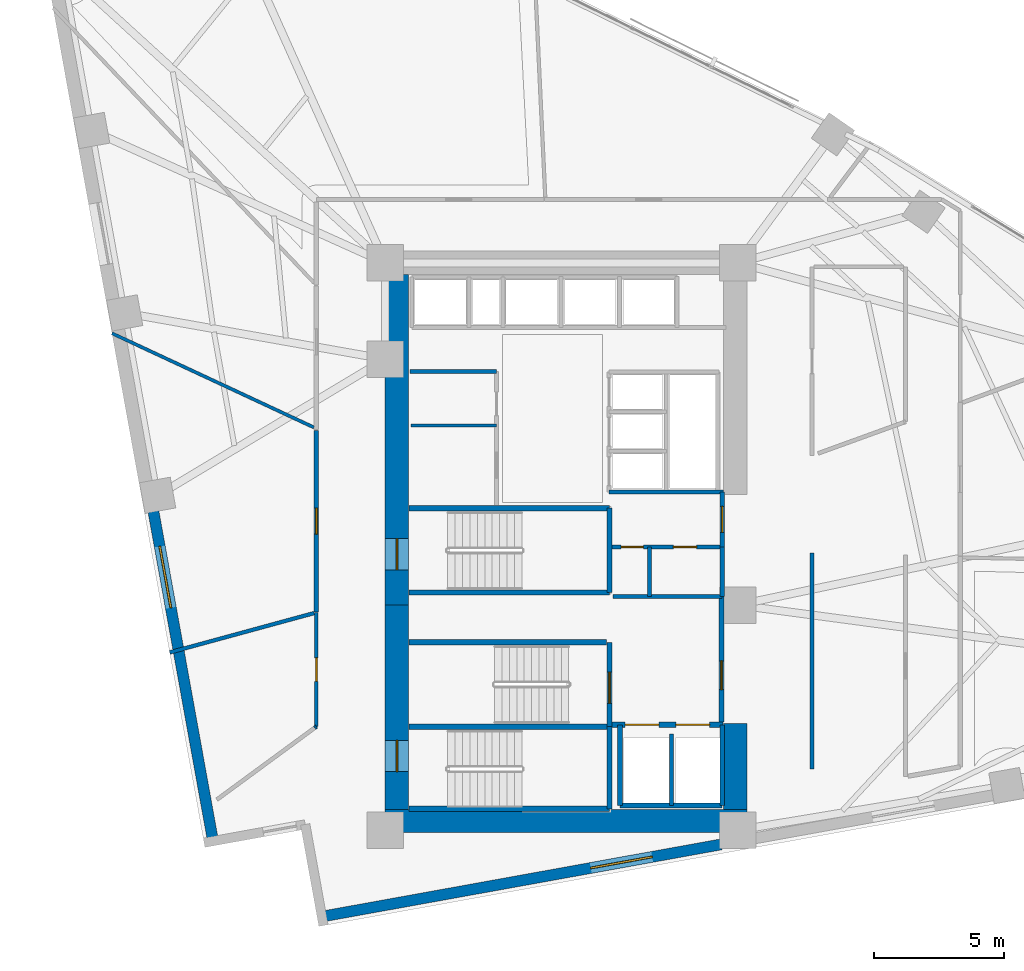
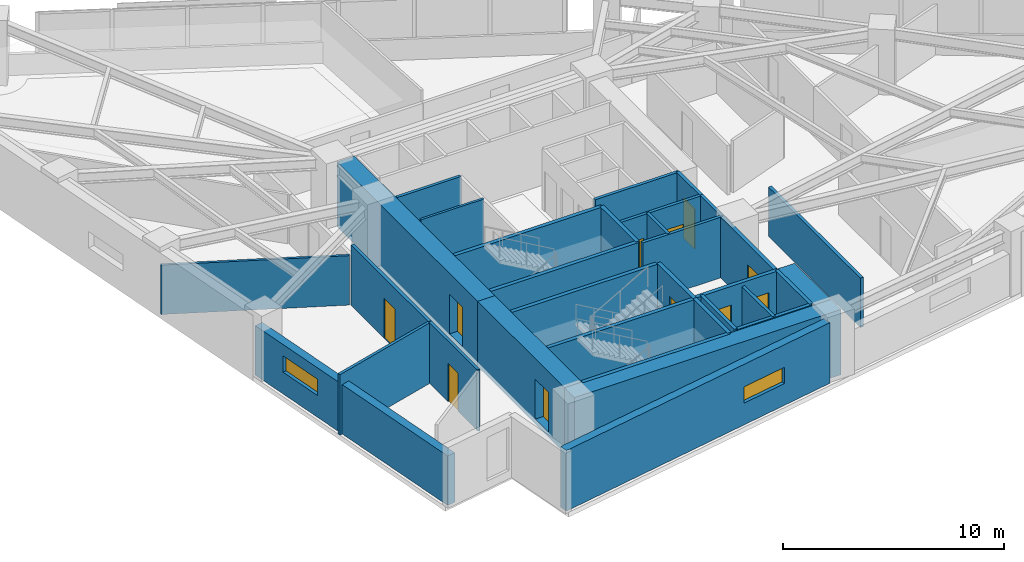
# One storey, part 13 of 18: 34 walls, 11 doors, 2 windows, 13 openings.
"""IFC4 building model written with IfcOpenShell, lengths in metres."""

from ifc_helpers import new_model, si_unit, direction, frame, frame_2d, origin, place, context, subcontext, project, spatial, rectangle, extrude, material, layer, layer_set, type_object, element, fill, save


model = new_model("IFC4")

# Units and contexts
model_context = context("Model", 3, precision=1e-05, world=origin(), true_north=direction((0.0, 1.0)))
body_context = subcontext(model_context, "Body", "Model", "MODEL_VIEW")
ifc_project = project(units=[si_unit("LENGTHUNIT", "METRE"), si_unit("AREAUNIT", "SQUARE_METRE"), si_unit("VOLUMEUNIT", "CUBIC_METRE"), si_unit("PLANEANGLEUNIT", "RADIAN"), si_unit("MASSUNIT", "GRAM", prefix="KILO")], contexts=[model_context])

# Site, building, storey
site_placement = place(None, origin())
site = spatial("IfcSite", under=ifc_project, at=site_placement, CompositionType="ELEMENT")
building_placement = place(site_placement, origin())
building = spatial("IfcBuilding", under=site, at=building_placement, Name="Narakoshi Arena Tower", CompositionType="ELEMENT")
storey_placement = place(building_placement, frame((0.0, 0.0, 106.5)))
storey = spatial("IfcBuildingStorey", under=building, at=storey_placement, Name="L28", CompositionType="ELEMENT", Elevation=106.5)

# Wall, opening, door
ifc_material_1 = material(Name="Concrete C60/75", Category="concrete")
ifc_layer_1 = layer(ifc_material_1, 0.89990234375)
ifc_layer_set_1 = layer_set([ifc_layer_1], Name="Concrete C60/75")
wall_type_1 = type_object("IfcWallType", Name="WL-CORE-900", PredefinedType="SHEAR", material=ifc_layer_set_1)
wall_1_placement = place(storey_placement, frame((72.449951171875, 35.5, -0.260009765625), z_axis=(0.0, 0.0, 1.0), x_axis=(0.0, 1.0, 0.0)))
wall_1 = element("IfcWall", 1, at=wall_1_placement, inside=storey, type_object=wall_type_1, Name="L28 Central Core Shear Wall CW-APX-W", PredefinedType="SHEAR", context=body_context, shape_type="SweptSolid", body=[
    extrude(rectangle(XDim=7.85009765625, YDim=0.89990234375, at=frame_2d((3.925048828125, 0.0))), origin(), (0.0, 0.0, 1.0), 3.60009765625),
])
opening_1_placement = place(wall_1_placement, frame((1.449951171875, 0.0, 0.260009765625)))
opening_1 = element("IfcOpeningElement", 2, at=opening_1_placement, cuts=wall_1, Name="Opening D-03", PredefinedType="OPENING", context=body_context, shape_type="SweptSolid", body=[
    extrude(rectangle(XDim=1.199951171875, YDim=2.199951171875, at=frame_2d((0.60009765625, 1.10009765625))), frame((0.0, 0.4599609375, 0.0), z_axis=(0.0, -1.0, 0.0), x_axis=(1.0, 0.0, 0.0)), (0.0, 0.0, 1.0), 0.919921875),
])
ifc_material_2 = material(Name="Painted galvanized steel", Category="steel")
door_type_1 = type_object("IfcDoorType", Name="DR-STR-1200", OperationType="NOTDEFINED", PredefinedType="USERDEFINED", material=ifc_material_2)
door_1_placement = place(opening_1_placement, frame((1.199951171875, 0.0, 0.0), z_axis=(0.0, 0.0, 1.0), x_axis=(-1.0, 0.0, 0.0)))
door_1 = element("IfcDoor", 3, at=door_1_placement, inside=storey, type_object=door_type_1, Name="DR-L28-001", ObjectType="EXITDOOR", OperationType="SINGLE_SWING_LEFT", OverallHeight=2.199951171875, OverallWidth=1.199951171875, PredefinedType="USERDEFINED", context=body_context, shape_type="SweptSolid", body=[
    extrude(rectangle(XDim=1.199951171875, YDim=2.199951171875, at=frame_2d((0.60009765625, 1.10009765625))), frame((0.0, 0.02490234375, 0.0), z_axis=(0.0, -1.0, 0.0), x_axis=(1.0, 0.0, 0.0)), (0.0, 0.0, 1.0), 0.050048828125),
])
fill(opening_1, door_1)

# Walls
wall_2_placement = place(storey_placement, frame((72.0, 35.050048828125, -0.260009765625), z_axis=(0.0, 0.0, 1.0), x_axis=(1.0, 0.0, 0.0)))
element("IfcWall", 4, at=wall_2_placement, inside=storey, type_object=wall_type_1, Name="L28 Central Core Shear Wall CW-APX-S", PredefinedType="SHEAR", context=body_context, shape_type="SweptSolid", body=[
    extrude(rectangle(XDim=13.89990234375, YDim=0.89990234375, at=frame_2d((6.949951171875, 0.0))), origin(), (0.0, 0.0, 1.0), 3.60009765625),
])
wall_3_placement = place(storey_placement, frame((85.449951171875, 35.5, -0.260009765625), z_axis=(0.0, 0.0, 1.0), x_axis=(0.0, 1.0, 0.0)))
element("IfcWall", 5, at=wall_3_placement, inside=storey, type_object=wall_type_1, Name="L28 Central Core Shear Wall CW-APX-E", PredefinedType="SHEAR", context=body_context, shape_type="SweptSolid", body=[
    extrude(rectangle(XDim=3.300048828125, YDim=0.89990234375, at=frame_2d((1.64990234375, 0.0))), origin(), (0.0, 0.0, 1.0), 3.60009765625),
])

# Wall, opening, door
wall_4_placement = place(storey_placement, frame((72.449951171875, 43.35009765625, -0.260009765625), z_axis=(0.0, 0.0, 1.0), x_axis=(0.0, 1.0, 0.0)))
wall_4 = element("IfcWall", 6, at=wall_4_placement, inside=storey, type_object=wall_type_1, Name="L28 Main Core Shear Wall CW-MN-W", PredefinedType="SHEAR", context=body_context, shape_type="SweptSolid", body=[
    extrude(rectangle(XDim=12.699951171875, YDim=0.89990234375, at=frame_2d((6.35009765625, 0.0))), origin(), (0.0, 0.0, 1.0), 3.60009765625),
])
opening_2_placement = place(wall_4_placement, frame((1.35009765625, 0.0, 0.260009765625)))
opening_2 = element("IfcOpeningElement", 7, at=opening_2_placement, cuts=wall_4, Name="Opening D-03", PredefinedType="OPENING", context=body_context, shape_type="SweptSolid", body=[
    extrude(rectangle(XDim=1.199951171875, YDim=2.199951171875, at=frame_2d((0.60009765625, 1.10009765625))), frame((0.0, 0.4599609375, 0.0), z_axis=(0.0, -1.0, 0.0), x_axis=(1.0, 0.0, 0.0)), (0.0, 0.0, 1.0), 0.919921875),
])
door_2_placement = place(opening_2_placement, frame((1.199951171875, 0.0, 0.0), z_axis=(0.0, 0.0, 1.0), x_axis=(-1.0, 0.0, 0.0)))
door_2 = element("IfcDoor", 8, at=door_2_placement, inside=storey, type_object=door_type_1, Name="DR-L28-006", ObjectType="EXITDOOR", OperationType="SINGLE_SWING_LEFT", OverallHeight=2.199951171875, OverallWidth=1.199951171875, PredefinedType="USERDEFINED", context=body_context, shape_type="SweptSolid", body=[
    extrude(rectangle(XDim=1.199951171875, YDim=2.199951171875, at=frame_2d((0.60009765625, 1.10009765625))), frame((0.0, 0.02490234375, 0.0), z_axis=(0.0, -1.0, 0.0), x_axis=(1.0, 0.0, 0.0)), (0.0, 0.0, 1.0), 0.050048828125),
])
fill(opening_2, door_2)

ifc_material_3 = material(Name="Gypsum plasterboard fire-rated partition")
ifc_layer_2 = layer(ifc_material_3, 0.1650390625)
ifc_layer_set_2 = layer_set([ifc_layer_2], Name="Gypsum plasterboard fire-rated partition")
wall_type_2 = type_object("IfcWallType", Name="WL-CORR-165", PredefinedType="PARTITIONING", material=ifc_layer_set_2)
wall_5_placement = place(storey_placement, frame((84.949951171875, 45.580078125, 0.0), z_axis=(0.0, 0.0, 1.0), x_axis=(0.0, 1.0, 0.0)))
wall_5 = element("IfcWall", 9, at=wall_5_placement, inside=storey, type_object=wall_type_2, Name="L28 Core Wall CPAS-E", PredefinedType="PARTITIONING", context=body_context, shape_type="SweptSolid", body=[
    extrude(rectangle(XDim=2.119873046875, YDim=0.1650390625, at=frame_2d((1.06005859375, 0.0))), origin(), (0.0, 0.0, 1.0), 3.340087890625),
])
opening_3_placement = place(wall_5_placement, frame((0.56005859375, 0.0, 0.0)))
opening_3 = element("IfcOpeningElement", 10, at=opening_3_placement, cuts=wall_5, Name="Opening D-06", PredefinedType="OPENING", context=body_context, shape_type="SweptSolid", body=[
    extrude(rectangle(XDim=1.0, YDim=2.199951171875, at=frame_2d((0.5, 1.10009765625))), frame((0.0, 0.092529296875, 0.0), z_axis=(0.0, -1.0, 0.0), x_axis=(1.0, 0.0, 0.0)), (0.0, 0.0, 1.0), 0.18505859375),
])
ifc_material_4 = material(Name="Stained oak solid-core timber", Category="wood")
door_type_2 = type_object("IfcDoorType", Name="DR-OFF-1000", OperationType="NOTDEFINED", PredefinedType="DOOR", material=ifc_material_4)
door_3_placement = place(opening_3_placement, frame((1.0, 0.0, 0.0), z_axis=(0.0, 0.0, 1.0), x_axis=(-1.0, 0.0, 0.0)))
door_3 = element("IfcDoor", 11, at=door_3_placement, inside=storey, type_object=door_type_2, Name="DR-L28-007", OperationType="SINGLE_SWING_LEFT", OverallHeight=2.199951171875, OverallWidth=1.0, PredefinedType="DOOR", context=body_context, shape_type="SweptSolid", body=[
    extrude(rectangle(XDim=1.0, YDim=2.199951171875, at=frame_2d((0.5, 1.10009765625))), frame((0.0, 0.02490234375, 0.0), z_axis=(0.0, -1.0, 0.0), x_axis=(1.0, 0.0, 0.0)), (0.0, 0.0, 1.0), 0.050048828125),
])
fill(opening_3, door_3)

# Wall
wall_6_placement = place(storey_placement, frame((88.39990234375, 37.05322265625, 0.0), z_axis=(0.0, 0.0, 1.0), x_axis=(0.0, 1.0, 0.0)))
element("IfcWall", 12, at=wall_6_placement, inside=storey, type_object=wall_type_2, Name="L28 Corridor Partition 02-2", PredefinedType="PARTITIONING", context=body_context, shape_type="SweptSolid", body=[
    extrude(rectangle(XDim=8.29931640625, YDim=0.1650390625, at=frame_2d((4.149658203125, 0.0))), origin(), (0.0, 0.0, 1.0), 2.72509765625),
])

# Wall, opening, door
wall_7_placement = place(storey_placement, frame((69.353759765625, 50.065673828125, 0.0), z_axis=(0.0, 0.0, 1.0), x_axis=(0.0, -1.0, 0.0)))
wall_7 = element("IfcWall", 13, at=wall_7_placement, inside=storey, type_object=wall_type_2, Name="L28 Corridor Partition 09-1", PredefinedType="PARTITIONING", context=body_context, shape_type="SweptSolid", body=[
    extrude(rectangle(XDim=6.977294921875, YDim=0.1650390625, at=frame_2d((3.48876953125, 0.0))), origin(), (0.0, 0.0, 1.0), 3.340087890625),
])
opening_4_placement = place(wall_7_placement, frame((2.988525390625, 0.0, 0.0)))
opening_4 = element("IfcOpeningElement", 14, at=opening_4_placement, cuts=wall_7, Name="Opening D-06", PredefinedType="OPENING", context=body_context, shape_type="SweptSolid", body=[
    extrude(rectangle(XDim=1.0, YDim=2.199951171875, at=frame_2d((0.5, 1.10009765625))), frame((0.0, 0.092529296875, 0.0), z_axis=(0.0, -1.0, 0.0), x_axis=(1.0, 0.0, 0.0)), (0.0, 0.0, 1.0), 0.18505859375),
])
door_4_placement = place(opening_4_placement, frame((1.0, 0.0, 0.0), z_axis=(0.0, 0.0, 1.0), x_axis=(-1.0, 0.0, 0.0)))
door_4 = element("IfcDoor", 15, at=door_4_placement, inside=storey, type_object=door_type_2, Name="DR-L28-023", OperationType="SINGLE_SWING_RIGHT", OverallHeight=2.199951171875, OverallWidth=1.0, PredefinedType="DOOR", context=body_context, shape_type="SweptSolid", body=[
    extrude(rectangle(XDim=1.0, YDim=2.199951171875, at=frame_2d((0.5, 1.10009765625))), frame((0.0, 0.02490234375, 0.0), z_axis=(0.0, -1.0, 0.0), x_axis=(1.0, 0.0, 0.0)), (0.0, 0.0, 1.0), 0.050048828125),
])
fill(opening_4, door_4)

# Walls
ifc_layer_3 = layer(ifc_material_3, 0.125)
ifc_layer_set_3 = layer_set([ifc_layer_3], Name="Gypsum plasterboard fire-rated partition")
wall_type_3 = type_object("IfcWallType", Name="WL-PART-125", PredefinedType="PARTITIONING", material=ifc_layer_set_3)
wall_8_placement = place(storey_placement, frame((73.0, 50.25, 0.0), z_axis=(0.0, 0.0, 1.0), x_axis=(1.0, 0.0, 0.0)))
element("IfcWall", 16, at=wall_8_placement, inside=storey, type_object=wall_type_3, Name="L28 Core Wall RCL-LR-D2", PredefinedType="PARTITIONING", context=body_context, shape_type="SweptSolid", body=[
    extrude(rectangle(XDim=3.280029296875, YDim=0.125, at=frame_2d((1.64013671875, 0.0))), origin(), (0.0, 0.0, 1.0), 3.340087890625),
])
wall_9_placement = place(storey_placement, frame((69.25927734375, 50.176025390625, 0.0), z_axis=(0.0, 0.0, 1.0), x_axis=(-0.90641249547, 0.422393641117, 0.0)))
element("IfcWall", 17, at=wall_9_placement, inside=storey, type_object=wall_type_3, Name="L28 Inter-Room Partition 08-09", PredefinedType="PARTITIONING", context=body_context, shape_type="SweptSolid", body=[
    extrude(rectangle(XDim=8.561279296875, YDim=0.125, at=frame_2d((4.28076171875, 0.0))), origin(), (0.0, 0.0, 1.0), 2.72509765625),
])

# Wall, opening, window
ifc_material_5 = material(Name="Precast concrete C45/55", Category="concrete")
ifc_layer_4 = layer(ifc_material_5, 0.419921875)
ifc_layer_set_4 = layer_set([ifc_layer_4], Name="Precast concrete C45/55")
wall_type_4 = type_object("IfcWallType", Name="WL-POD-420", PredefinedType="SOLIDWALL", material=ifc_layer_set_4)
wall_10_placement = place(storey_placement, frame((69.564697265625, 31.376953125, 0.0), z_axis=(0.0, 0.0, 1.0), x_axis=(0.98404091451, 0.177942346197, 0.0)))
wall_10 = element("IfcWall", 18, at=wall_10_placement, inside=storey, type_object=wall_type_4, Name="L28 Architectural Concrete Facade Wall LEGA-1", PredefinedType="SOLIDWALL", context=body_context, shape_type="SweptSolid", body=[
    extrude(rectangle(XDim=15.58349609375, YDim=0.419921875, at=frame_2d((7.791748046875, 0.0))), origin(), (0.0, 0.0, 1.0), 3.340087890625),
])
opening_5_placement = place(wall_10_placement, frame((10.5, 0.0, 1.199951171875)))
opening_5 = element("IfcOpeningElement", 19, at=opening_5_placement, cuts=wall_10, Name="Opening WN-01", PredefinedType="OPENING", context=body_context, shape_type="SweptSolid", body=[
    extrude(rectangle(XDim=2.39990234375, YDim=0.89990234375, at=frame_2d((1.199951171875, 0.449951171875))), frame((0.0, 0.219970703125, 0.0), z_axis=(0.0, -1.0, 0.0), x_axis=(1.0, 0.0, 0.0)), (0.0, 0.0, 1.0), 0.43994140625),
])
ifc_material_6 = material(Name="Bronze-tinted low-E laminated glass", Category="glass")
window_type = type_object("IfcWindowType", Name="WIN-SLT-24x09", PartitioningType="SINGLE_PANEL", PredefinedType="WINDOW", material=ifc_material_6)
window_1_placement = place(opening_5_placement, origin())
window_1 = element("IfcWindow", 20, at=window_1_placement, inside=storey, type_object=window_type, Name="L28 LEGA1 Horizontal Slot Window 1", OverallHeight=0.89990234375, OverallWidth=2.39990234375, PartitioningType="SINGLE_PANEL", PredefinedType="WINDOW", context=body_context, shape_type="SweptSolid", body=[
    extrude(rectangle(XDim=2.39990234375, YDim=0.89990234375, at=frame_2d((1.199951171875, 0.449951171875))), frame((0.0, 0.030029296875, 0.0), z_axis=(0.0, -1.0, 0.0), x_axis=(1.0, 0.0, 0.0)), (0.0, 0.0, 1.0), 0.06005859375),
])
fill(opening_5, window_1)

wall_11_placement = place(storey_placement, frame((62.989501953125, 47.517578125, 0.0), z_axis=(0.0, 0.0, 1.0), x_axis=(0.177948058674, -0.984039881516, 0.0)))
wall_11 = element("IfcWall", 21, at=wall_11_placement, inside=storey, type_object=wall_type_4, Name="L28 Architectural Concrete Facade Wall LEGB-3", PredefinedType="SOLIDWALL", context=body_context, shape_type="SweptSolid", body=[
    extrude(rectangle(XDim=13.455078125, YDim=0.419921875, at=frame_2d((6.7275390625, 0.0))), origin(), (0.0, 0.0, 1.0), 2.72509765625),
])
opening_6_placement = place(wall_11_placement, frame((1.945068359375, 0.0, 1.199951171875)))
opening_6 = element("IfcOpeningElement", 22, at=opening_6_placement, cuts=wall_11, Name="Opening WN-01", PredefinedType="OPENING", context=body_context, shape_type="SweptSolid", body=[
    extrude(rectangle(XDim=2.39990234375, YDim=0.89990234375, at=frame_2d((1.199951171875, 0.449951171875))), frame((0.0, 0.219970703125, 0.0), z_axis=(0.0, -1.0, 0.0), x_axis=(1.0, 0.0, 0.0)), (0.0, 0.0, 1.0), 0.43994140625),
])
window_2_placement = place(opening_6_placement, origin())
window_2 = element("IfcWindow", 23, at=window_2_placement, inside=storey, type_object=window_type, Name="L28 LEGB3 Horizontal Slot Window 1", OverallHeight=0.89990234375, OverallWidth=2.39990234375, PartitioningType="SINGLE_PANEL", PredefinedType="WINDOW", context=body_context, shape_type="SweptSolid", body=[
    extrude(rectangle(XDim=2.39990234375, YDim=0.89990234375, at=frame_2d((1.199951171875, 0.449951171875))), frame((0.0, 0.030029296875, 0.0), z_axis=(0.0, -1.0, 0.0), x_axis=(1.0, 0.0, 0.0)), (0.0, 0.0, 1.0), 0.06005859375),
])
fill(opening_6, window_2)

# Walls
ifc_material_7 = material(Name="Concrete C40/50", Category="concrete")
ifc_layer_5 = layer(ifc_material_7, 0.280029296875)
ifc_layer_set_5 = layer_set([ifc_layer_5], Name="Concrete C40/50")
wall_type_5 = type_object("IfcWallType", Name="WL-RISER-280", PredefinedType="PLUMBINGWALL", material=ifc_layer_set_5)
wall_12_placement = place(storey_placement, frame((83.0, 35.64990234375, 0.0), z_axis=(0.0, 0.0, 1.0), x_axis=(0.0, 1.0, 0.0)))
element("IfcWall", 24, at=wall_12_placement, inside=storey, type_object=wall_type_5, Name="L28 Core Wall FF-DIV", PredefinedType="PLUMBINGWALL", context=body_context, shape_type="SweptSolid", body=[
    extrude(rectangle(XDim=2.75, YDim=0.159912109375, at=frame_2d((1.375, 0.0))), origin(), (0.0, 0.0, 1.0), 3.340087890625),
])
wall_13_placement = place(storey_placement, frame((84.949951171875, 43.679931640625, 0.0), z_axis=(0.0, 0.0, 1.0), x_axis=(0.0, 1.0, 0.0)))
element("IfcWall", 25, at=wall_13_placement, inside=storey, type_object=wall_type_5, Name="L28 Core Wall RSR-E", PredefinedType="PLUMBINGWALL", context=body_context, shape_type="SweptSolid", body=[
    extrude(rectangle(XDim=1.900146484375, YDim=0.1650390625, at=frame_2d((0.9501953125, 0.0))), origin(), (0.0, 0.0, 1.0), 3.340087890625),
])

# Wall, openings, doors
wall_14_placement = place(storey_placement, frame((80.719970703125, 45.580078125, 0.0), z_axis=(0.0, 0.0, 1.0), x_axis=(1.0, 0.0, 0.0)))
wall_14 = element("IfcWall", 26, at=wall_14_placement, inside=storey, type_object=wall_type_5, Name="L28 Core Wall RSR-N", PredefinedType="PLUMBINGWALL", context=body_context, shape_type="SweptSolid", body=[
    extrude(rectangle(XDim=4.22998046875, YDim=0.159912109375, at=frame_2d((2.114990234375, 0.0))), origin(), (0.0, 0.0, 1.0), 3.340087890625),
])
opening_7_placement = place(wall_14_placement, frame((0.35009765625, 0.0, 0.0)))
opening_7 = element("IfcOpeningElement", 27, at=opening_7_placement, cuts=wall_14, Name="Opening D-10", PredefinedType="OPENING", context=body_context, shape_type="SweptSolid", body=[
    extrude(rectangle(XDim=0.85009765625, YDim=2.050048828125, at=frame_2d((0.425048828125, 1.02490234375))), frame((0.0, 0.08984375, 0.0), z_axis=(0.0, -1.0, 0.0), x_axis=(1.0, 0.0, 0.0)), (0.0, 0.0, 1.0), 0.179931640625),
])
opening_8_placement = place(wall_14_placement, frame((2.35009765625, 0.0, 0.0)))
opening_8 = element("IfcOpeningElement", 28, at=opening_8_placement, cuts=wall_14, Name="Opening D-08", PredefinedType="OPENING", context=body_context, shape_type="SweptSolid", body=[
    extrude(rectangle(XDim=0.89990234375, YDim=2.10009765625, at=frame_2d((0.449951171875, 1.050048828125))), frame((0.0, 0.08984375, 0.0), z_axis=(0.0, -1.0, 0.0), x_axis=(1.0, 0.0, 0.0)), (0.0, 0.0, 1.0), 0.179931640625),
])
door_type_3 = type_object("IfcDoorType", Name="DR-RSR-850", OperationType="NOTDEFINED", PredefinedType="DOOR", material=ifc_material_2)
door_5_placement = place(opening_7_placement, frame((0.85009765625, 0.0, 0.0), z_axis=(0.0, 0.0, 1.0), x_axis=(-1.0, 0.0, 0.0)))
door_5 = element("IfcDoor", 29, at=door_5_placement, inside=storey, type_object=door_type_3, Name="DR-L28-008", OperationType="SINGLE_SWING_LEFT", OverallHeight=2.050048828125, OverallWidth=0.85009765625, PredefinedType="DOOR", context=body_context, shape_type="SweptSolid", body=[
    extrude(rectangle(XDim=0.85009765625, YDim=2.050048828125, at=frame_2d((0.425048828125, 1.02490234375))), frame((0.0, 0.02490234375, 0.0), z_axis=(0.0, -1.0, 0.0), x_axis=(1.0, 0.0, 0.0)), (0.0, 0.0, 1.0), 0.050048828125),
])
fill(opening_7, door_5)
ifc_material_8 = material(Name="Moisture-resistant laminate timber", Category="wood")
door_type_4 = type_object("IfcDoorType", Name="DR-WC-900", OperationType="NOTDEFINED", PredefinedType="DOOR", material=ifc_material_8)
door_6_placement = place(opening_8_placement, frame((0.89990234375, 0.0, 0.0), z_axis=(0.0, 0.0, 1.0), x_axis=(-1.0, 0.0, 0.0)))
door_6 = element("IfcDoor", 30, at=door_6_placement, inside=storey, type_object=door_type_4, Name="DR-L28-009", OperationType="SINGLE_SWING_RIGHT", OverallHeight=2.10009765625, OverallWidth=0.89990234375, PredefinedType="DOOR", context=body_context, shape_type="SweptSolid", body=[
    extrude(rectangle(XDim=0.89990234375, YDim=2.10009765625, at=frame_2d((0.449951171875, 1.050048828125))), frame((0.0, 0.02490234375, 0.0), z_axis=(0.0, -1.0, 0.0), x_axis=(1.0, 0.0, 0.0)), (0.0, 0.0, 1.0), 0.050048828125),
])
fill(opening_8, door_6)

# Walls
wall_15_placement = place(storey_placement, frame((80.760009765625, 43.679931640625, 0.0), z_axis=(0.0, 0.0, 1.0), x_axis=(1.0, 0.0, 0.0)))
element("IfcWall", 31, at=wall_15_placement, inside=storey, type_object=wall_type_5, Name="L28 Core Wall RSR-S", PredefinedType="PLUMBINGWALL", context=body_context, shape_type="SweptSolid", body=[
    extrude(rectangle(XDim=4.18994140625, YDim=0.159912109375, at=frame_2d((2.094970703125, 0.0))), origin(), (0.0, 0.0, 1.0), 3.340087890625),
])
wall_16_placement = place(storey_placement, frame((82.14990234375, 43.679931640625, 0.0), z_axis=(0.0, 0.0, 1.0), x_axis=(0.0, 1.0, 0.0)))
element("IfcWall", 32, at=wall_16_placement, inside=storey, type_object=wall_type_5, Name="L28 Core Wall RSR-M", PredefinedType="PLUMBINGWALL", context=body_context, shape_type="SweptSolid", body=[
    extrude(rectangle(XDim=1.900146484375, YDim=0.159912109375, at=frame_2d((0.9501953125, 0.0))), origin(), (0.0, 0.0, 1.0), 3.340087890625),
])
ifc_material_9 = material(Name="Concrete C50/60", Category="concrete")
ifc_layer_6 = layer(ifc_material_9, 0.35009765625)
ifc_layer_set_6 = layer_set([ifc_layer_6], Name="Concrete C50/60")
wall_type_6 = type_object("IfcWallType", Name="WL-SHAFT-350", PredefinedType="SOLIDWALL", material=ifc_layer_set_6)
for number, where, z_axis, x_axis, name in (
    (33, (72.919921875, 35.52001953125, -0.260009765625), (0.0, 0.0, 1.0), (1.0, 0.0, 0.0), "L28 Core Wall ST1-S"),
    (34, (72.919921875, 38.675048828125, -0.260009765625), (0.0, 0.0, 1.0), (1.0, 0.0, 0.0), "L28 Core Wall ST12-DIV"),
):
    element("IfcWall", number, at=place(storey_placement, frame(where, z_axis=z_axis, x_axis=x_axis)), inside=storey, type_object=wall_type_6, Name=name, PredefinedType="SOLIDWALL", context=body_context, shape_type="SweptSolid", body=[
        extrude(rectangle(XDim=7.7001953125, YDim=0.199951171875, at=frame_2d((3.85009765625, 0.0))), origin(), (0.0, 0.0, 1.0), 3.60009765625),
    ])
wall_17_placement = place(storey_placement, frame((80.6201171875, 35.52001953125, -0.260009765625), z_axis=(0.0, 0.0, 1.0), x_axis=(0.0, 1.0, 0.0)))
element("IfcWall", 35, at=wall_17_placement, inside=storey, type_object=wall_type_6, Name="L28 Core Wall ST1-E", PredefinedType="SOLIDWALL", context=body_context, shape_type="SweptSolid", body=[
    extrude(rectangle(XDim=3.155029296875, YDim=0.199951171875, at=frame_2d((1.57763671875, 0.0))), origin(), (0.0, 0.0, 1.0), 3.60009765625),
])

# Wall, opening, door
wall_18_placement = place(storey_placement, frame((80.6201171875, 38.675048828125, -0.260009765625), z_axis=(0.0, 0.0, 1.0), x_axis=(0.0, 1.0, 0.0)))
wall_18 = element("IfcWall", 36, at=wall_18_placement, inside=storey, type_object=wall_type_6, Name="L28 Core Wall ST2-E", PredefinedType="SOLIDWALL", context=body_context, shape_type="SweptSolid", body=[
    extrude(rectangle(XDim=3.244873046875, YDim=0.199951171875, at=frame_2d((1.62255859375, 0.0))), origin(), (0.0, 0.0, 1.0), 3.60009765625),
])
opening_9_placement = place(wall_18_placement, frame((0.89990234375, 0.0, 0.260009765625)))
opening_9 = element("IfcOpeningElement", 37, at=opening_9_placement, cuts=wall_18, Name="Opening D-03", PredefinedType="OPENING", context=body_context, shape_type="SweptSolid", body=[
    extrude(rectangle(XDim=1.199951171875, YDim=2.199951171875, at=frame_2d((0.60009765625, 1.10009765625))), frame((0.0, 0.10986328125, 0.0), z_axis=(0.0, -1.0, 0.0), x_axis=(1.0, 0.0, 0.0)), (0.0, 0.0, 1.0), 0.219970703125),
])
door_7_placement = place(opening_9_placement, origin())
door_7 = element("IfcDoor", 38, at=door_7_placement, inside=storey, type_object=door_type_1, Name="DR-L28-002", ObjectType="EXITDOOR", OperationType="SINGLE_SWING_RIGHT", OverallHeight=2.199951171875, OverallWidth=1.199951171875, PredefinedType="USERDEFINED", context=body_context, shape_type="SweptSolid", body=[
    extrude(rectangle(XDim=1.199951171875, YDim=2.199951171875, at=frame_2d((0.60009765625, 1.10009765625))), frame((0.0, 0.02490234375, 0.0), z_axis=(0.0, -1.0, 0.0), x_axis=(1.0, 0.0, 0.0)), (0.0, 0.0, 1.0), 0.050048828125),
])
fill(opening_9, door_7)

# Wall, openings, doors
wall_19_placement = place(storey_placement, frame((80.719970703125, 38.75, 0.0), z_axis=(0.0, 0.0, 1.0), x_axis=(1.0, 0.0, 0.0)))
wall_19 = element("IfcWall", 39, at=wall_19_placement, inside=storey, type_object=wall_type_6, Name="L28 Core Wall FF-N", PredefinedType="SOLIDWALL", context=body_context, shape_type="SweptSolid", body=[
    extrude(rectangle(XDim=4.260009765625, YDim=0.199951171875, at=frame_2d((2.1298828125, 0.0))), origin(), (0.0, 0.0, 1.0), 3.340087890625),
])
opening_10_placement = place(wall_19_placement, frame((0.5, 0.0, 0.0)))
opening_10 = element("IfcOpeningElement", 40, at=opening_10_placement, cuts=wall_19, Name="Opening LD-02", PredefinedType="OPENING", context=body_context, shape_type="SweptSolid", body=[
    extrude(rectangle(XDim=1.300048828125, YDim=2.300048828125, at=frame_2d((0.64990234375, 1.14990234375))), frame((0.0, 0.10986328125, 0.0), z_axis=(0.0, -1.0, 0.0), x_axis=(1.0, 0.0, 0.0)), (0.0, 0.0, 1.0), 0.219970703125),
])
opening_11_placement = place(wall_19_placement, frame((2.449951171875, 0.0, 0.0)))
opening_11 = element("IfcOpeningElement", 41, at=opening_11_placement, cuts=wall_19, Name="Opening LD-02", PredefinedType="OPENING", context=body_context, shape_type="SweptSolid", body=[
    extrude(rectangle(XDim=1.300048828125, YDim=2.300048828125, at=frame_2d((0.64990234375, 1.14990234375))), frame((0.0, 0.10986328125, 0.0), z_axis=(0.0, -1.0, 0.0), x_axis=(1.0, 0.0, 0.0)), (0.0, 0.0, 1.0), 0.219970703125),
])
ifc_material_10 = material(Name="Brushed bronze stainless steel", Category="steel")
door_type_5 = type_object("IfcDoorType", Name="DR-LFT-1300", OperationType="DOUBLE_DOOR_SLIDING", PredefinedType="DOOR", material=ifc_material_10)
door_8_placement = place(opening_10_placement, origin())
door_8 = element("IfcDoor", 42, at=door_8_placement, inside=storey, type_object=door_type_5, Name="DR-L28-003", OperationType="DOUBLE_DOOR_SLIDING", OverallHeight=2.300048828125, OverallWidth=1.300048828125, PredefinedType="DOOR", context=body_context, shape_type="SweptSolid", body=[
    extrude(rectangle(XDim=1.300048828125, YDim=2.300048828125, at=frame_2d((0.64990234375, 1.14990234375))), frame((0.0, 0.02490234375, 0.0), z_axis=(0.0, -1.0, 0.0), x_axis=(1.0, 0.0, 0.0)), (0.0, 0.0, 1.0), 0.050048828125),
])
fill(opening_10, door_8)
door_9_placement = place(opening_11_placement, origin())
door_9 = element("IfcDoor", 43, at=door_9_placement, inside=storey, type_object=door_type_5, Name="DR-L28-004", OperationType="DOUBLE_DOOR_SLIDING", OverallHeight=2.300048828125, OverallWidth=1.300048828125, PredefinedType="DOOR", context=body_context, shape_type="SweptSolid", body=[
    extrude(rectangle(XDim=1.300048828125, YDim=2.300048828125, at=frame_2d((0.64990234375, 1.14990234375))), frame((0.0, 0.02490234375, 0.0), z_axis=(0.0, -1.0, 0.0), x_axis=(1.0, 0.0, 0.0)), (0.0, 0.0, 1.0), 0.050048828125),
])
fill(opening_11, door_9)

# Walls
for number, where, z_axis, x_axis, name in (
    (44, (84.949951171875, 35.64990234375, 0.0), (0.0, 0.0, 1.0), (0.0, 1.0, 0.0), "L28 Core Wall FF-E"),
    (45, (81.02001953125, 35.64990234375, 0.0), (0.0, 0.0, 1.0), (0.0, 1.0, 0.0), "L28 Core Wall FF-W"),
):
    element("IfcWall", number, at=place(storey_placement, frame(where, z_axis=z_axis, x_axis=x_axis)), inside=storey, type_object=wall_type_6, Name=name, PredefinedType="SOLIDWALL", context=body_context, shape_type="SweptSolid", body=[
        extrude(rectangle(XDim=3.10009765625, YDim=0.179931640625, at=frame_2d((1.550048828125, 0.0))), origin(), (0.0, 0.0, 1.0), 3.340087890625),
    ])
wall_20_placement = place(storey_placement, frame((81.02001953125, 35.64990234375, 0.0), z_axis=(0.0, 0.0, 1.0), x_axis=(1.0, 0.0, 0.0)))
element("IfcWall", 46, at=wall_20_placement, inside=storey, type_object=wall_type_6, Name="L28 Core Wall FF-S", PredefinedType="SOLIDWALL", context=body_context, shape_type="SweptSolid", body=[
    extrude(rectangle(XDim=3.929931640625, YDim=0.179931640625, at=frame_2d((1.96484375, 0.0))), origin(), (0.0, 0.0, 1.0), 3.340087890625),
])

# Wall, opening, door
wall_21_placement = place(storey_placement, frame((84.919921875, 38.85009765625, 0.0), z_axis=(0.0, 0.0, 1.0), x_axis=(0.0, 1.0, 0.0)))
wall_21 = element("IfcWall", 47, at=wall_21_placement, inside=storey, type_object=wall_type_6, Name="L28 Core Wall FFLOB-E", PredefinedType="SOLIDWALL", context=body_context, shape_type="SweptSolid", body=[
    extrude(rectangle(XDim=4.829833984375, YDim=0.199951171875, at=frame_2d((2.4150390625, 0.0))), origin(), (0.0, 0.0, 1.0), 3.340087890625),
])
opening_12_placement = place(wall_21_placement, frame((1.25, 0.0, 0.0)))
opening_12 = element("IfcOpeningElement", 48, at=opening_12_placement, cuts=wall_21, Name="Opening D-04", PredefinedType="OPENING", context=body_context, shape_type="SweptSolid", body=[
    extrude(rectangle(XDim=1.10009765625, YDim=2.199951171875, at=frame_2d((0.550048828125, 1.10009765625))), frame((0.0, 0.10986328125, 0.0), z_axis=(0.0, -1.0, 0.0), x_axis=(1.0, 0.0, 0.0)), (0.0, 0.0, 1.0), 0.219970703125),
])
door_type_6 = type_object("IfcDoorType", Name="DR-FFL-1100", OperationType="NOTDEFINED", PredefinedType="DOOR", material=ifc_material_2)
door_10_placement = place(opening_12_placement, frame((1.10009765625, 0.0, 0.0), z_axis=(0.0, 0.0, 1.0), x_axis=(-1.0, 0.0, 0.0)))
door_10 = element("IfcDoor", 49, at=door_10_placement, inside=storey, type_object=door_type_6, Name="DR-L28-005", OperationType="SINGLE_SWING_RIGHT", OverallHeight=2.199951171875, OverallWidth=1.10009765625, PredefinedType="DOOR", context=body_context, shape_type="SweptSolid", body=[
    extrude(rectangle(XDim=1.10009765625, YDim=2.199951171875, at=frame_2d((0.550048828125, 1.10009765625))), frame((0.0, 0.02490234375, 0.0), z_axis=(0.0, -1.0, 0.0), x_axis=(1.0, 0.0, 0.0)), (0.0, 0.0, 1.0), 0.050048828125),
])
fill(opening_12, door_10)

# Walls
wall_22_placement = place(storey_placement, frame((72.919921875, 41.919921875, -0.260009765625), z_axis=(0.0, 0.0, 1.0), x_axis=(1.0, 0.0, 0.0)))
element("IfcWall", 50, at=wall_22_placement, inside=storey, type_object=wall_type_6, Name="L28 Core Wall ST2-N", PredefinedType="SOLIDWALL", context=body_context, shape_type="SweptSolid", body=[
    extrude(rectangle(XDim=7.580078125, YDim=0.199951171875, at=frame_2d((3.7900390625, 0.0))), origin(), (0.0, 0.0, 1.0), 3.60009765625),
])
for number, where, z_axis, x_axis, name in (
    (51, (72.919921875, 43.830078125, -0.260009765625), (0.0, 0.0, 1.0), (1.0, 0.0, 0.0), "L28 Core Wall ST3-S"),
    (52, (72.919921875, 47.070068359375, -0.260009765625), (0.0, 0.0, 1.0), (1.0, 0.0, 0.0), "L28 Core Wall ST3-N"),
):
    element("IfcWall", number, at=place(storey_placement, frame(where, z_axis=z_axis, x_axis=x_axis)), inside=storey, type_object=wall_type_6, Name=name, PredefinedType="SOLIDWALL", context=body_context, shape_type="SweptSolid", body=[
        extrude(rectangle(XDim=7.7001953125, YDim=0.199951171875, at=frame_2d((3.85009765625, 0.0))), origin(), (0.0, 0.0, 1.0), 3.60009765625),
    ])
wall_23_placement = place(storey_placement, frame((80.6201171875, 43.830078125, -0.260009765625), z_axis=(0.0, 0.0, 1.0), x_axis=(0.0, 1.0, 0.0)))
element("IfcWall", 53, at=wall_23_placement, inside=storey, type_object=wall_type_6, Name="L28 Core Wall ST3-E", PredefinedType="SOLIDWALL", context=body_context, shape_type="SweptSolid", body=[
    extrude(rectangle(XDim=3.239990234375, YDim=0.199951171875, at=frame_2d((1.6201171875, 0.0))), origin(), (0.0, 0.0, 1.0), 3.60009765625),
])
wall_24_placement = place(storey_placement, frame((72.949951171875, 52.320068359375, 0.0), z_axis=(0.0, 0.0, 1.0), x_axis=(1.0, 0.0, 0.0)))
element("IfcWall", 54, at=wall_24_placement, inside=storey, type_object=wall_type_6, Name="L28 Core Wall LR-N", PredefinedType="SOLIDWALL", context=body_context, shape_type="SweptSolid", body=[
    extrude(rectangle(XDim=3.330078125, YDim=0.14990234375, at=frame_2d((1.6650390625, 0.0))), origin(), (0.0, 0.0, 1.0), 3.340087890625),
])
wall_25_placement = place(storey_placement, frame((80.60009765625, 47.699951171875, 0.0), z_axis=(0.0, 0.0, 1.0), x_axis=(1.0, 0.0, 0.0)))
element("IfcWall", 55, at=wall_25_placement, inside=storey, type_object=wall_type_6, Name="L28 Core Wall MR-S", PredefinedType="SOLIDWALL", context=body_context, shape_type="SweptSolid", body=[
    extrude(rectangle(XDim=4.39990234375, YDim=0.159912109375, at=frame_2d((2.199951171875, 0.0))), origin(), (0.0, 0.0, 1.0), 3.340087890625),
])

# Wall, opening, door
ifc_material_11 = material(Name="Moisture-resistant cement-board partition")
ifc_layer_7 = layer(ifc_material_11, 0.14501953125)
ifc_layer_set_7 = layer_set([ifc_layer_7], Name="Moisture-resistant cement-board partition")
wall_type_7 = type_object("IfcWallType", Name="WL-WET-145", PredefinedType="PARTITIONING", material=ifc_layer_set_7)
wall_26_placement = place(storey_placement, frame((69.353759765625, 43.063720703125, 0.0), z_axis=(0.0, 0.0, 1.0), x_axis=(0.0, -1.0, 0.0)))
wall_26 = element("IfcWall", 56, at=wall_26_placement, inside=storey, type_object=wall_type_7, Name="L28 Corridor Partition 01-1", PredefinedType="PARTITIONING", context=body_context, shape_type="SweptSolid", body=[
    extrude(rectangle(XDim=4.38427734375, YDim=0.14501953125, at=frame_2d((2.192138671875, 0.0))), origin(), (0.0, 0.0, 1.0), 3.340087890625),
])
opening_13_placement = place(wall_26_placement, frame((1.7421875, 0.0, 0.0)))
opening_13 = element("IfcOpeningElement", 57, at=opening_13_placement, cuts=wall_26, Name="Opening D-08", PredefinedType="OPENING", context=body_context, shape_type="SweptSolid", body=[
    extrude(rectangle(XDim=0.89990234375, YDim=2.10009765625, at=frame_2d((0.449951171875, 1.050048828125))), frame((0.0, 0.08251953125, 0.0), z_axis=(0.0, -1.0, 0.0), x_axis=(1.0, 0.0, 0.0)), (0.0, 0.0, 1.0), 0.1650390625),
])
door_11_placement = place(opening_13_placement, frame((0.89990234375, 0.0, 0.0), z_axis=(0.0, 0.0, 1.0), x_axis=(-1.0, 0.0, 0.0)))
door_11 = element("IfcDoor", 58, at=door_11_placement, inside=storey, type_object=door_type_4, Name="DR-L28-015", OperationType="SINGLE_SWING_RIGHT", OverallHeight=2.10009765625, OverallWidth=0.89990234375, PredefinedType="DOOR", context=body_context, shape_type="SweptSolid", body=[
    extrude(rectangle(XDim=0.89990234375, YDim=2.10009765625, at=frame_2d((0.449951171875, 1.050048828125))), frame((0.0, 0.02490234375, 0.0), z_axis=(0.0, -1.0, 0.0), x_axis=(1.0, 0.0, 0.0)), (0.0, 0.0, 1.0), 0.050048828125),
])
fill(opening_13, door_11)

# Walls
wall_27_placement = place(storey_placement, frame((69.353759765625, 38.679443359375, 0.0), z_axis=(0.0, 0.0, 1.0), x_axis=(-0.805467130134, -0.592640449407, 0.0)))
element("IfcWall", 59, at=wall_27_placement, inside=storey, type_object=wall_type_7, Name="L28 Corridor Partition 01-2", PredefinedType="PARTITIONING", context=body_context, shape_type="SweptSolid", body=[
    extrude(rectangle(XDim=0.074462890625, YDim=0.14501953125, at=frame_2d((0.037109375, 0.0))), origin(), (0.0, 0.0, 1.0), 3.340087890625),
])
wall_28_placement = place(storey_placement, frame((63.717041015625, 41.527587890625, 0.0), z_axis=(0.0, 0.0, 1.0), x_axis=(0.964810798793, 0.262945094139, 0.0)))
element("IfcWall", 60, at=wall_28_placement, inside=storey, type_object=wall_type_7, Name="L28 Inter-Room Partition 01-09", PredefinedType="PARTITIONING", context=body_context, shape_type="SweptSolid", body=[
    extrude(rectangle(XDim=5.754638671875, YDim=0.14501953125, at=frame_2d((2.87744140625, 0.0))), origin(), (0.0, 0.0, 1.0), 3.340087890625),
])

save(model, "model.ifc")
